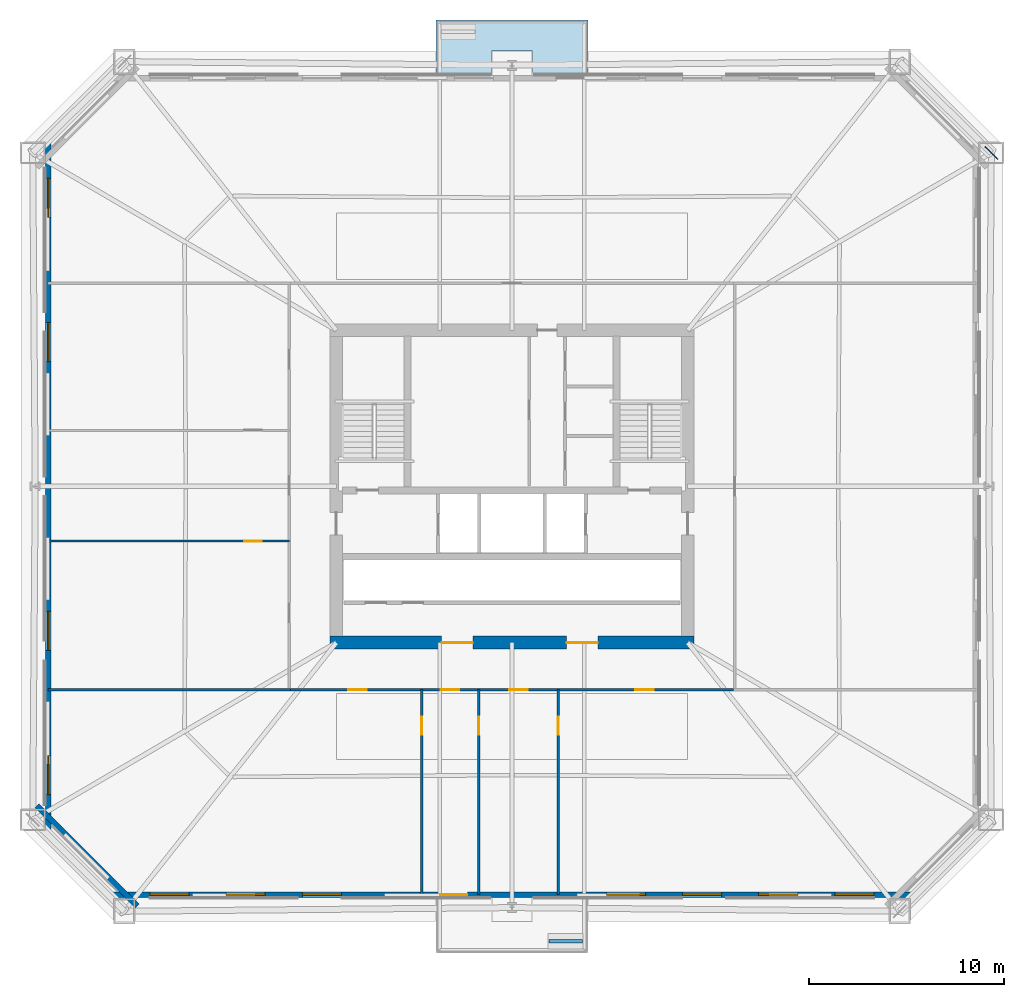
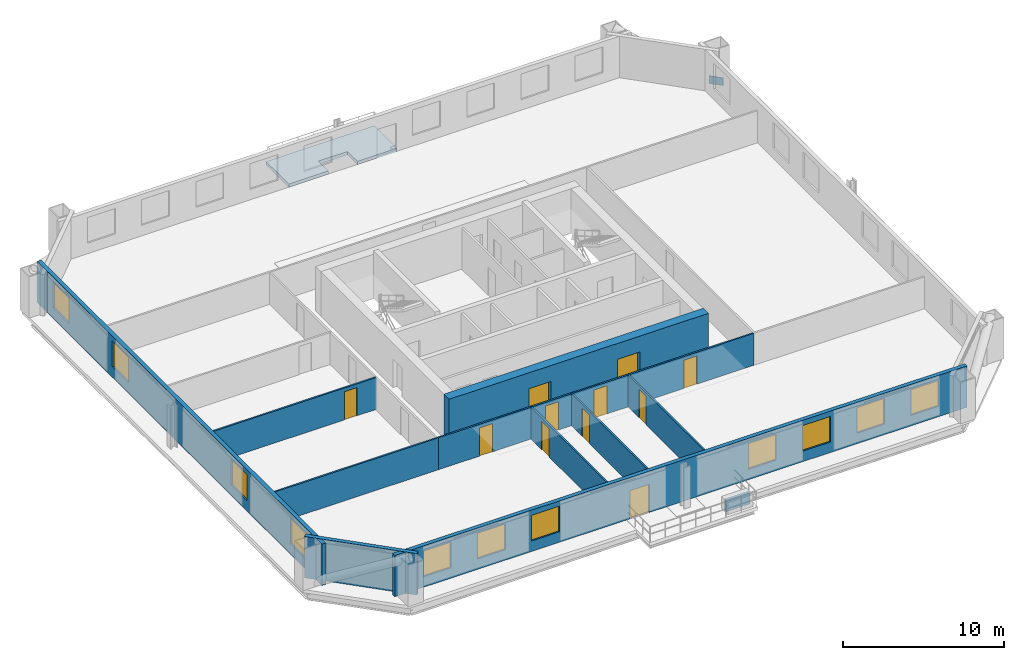
# One storey, part 3 of 8: 11 doors, 11 walls, 11 windows, 1 plate, 1 slab, 22 openings.
"""IFC4 building model written with IfcOpenShell, lengths in metres."""

from ifc_helpers import new_model, si_unit, direction, frame, frame_2d, origin, origin_2d, place, context, subcontext, project, spatial, polyline, rectangle, outline, extrude, material, layer, layer_set, type_object, element, fill, save


model = new_model("IFC4")

# Units and contexts
model_context = context("Model", 3, precision=1e-05, world=origin(), true_north=direction((0.0, 1.0)))
body_context = subcontext(model_context, "Body", "Model", "MODEL_VIEW")
ifc_project = project(units=[si_unit("LENGTHUNIT", "METRE"), si_unit("AREAUNIT", "SQUARE_METRE"), si_unit("VOLUMEUNIT", "CUBIC_METRE"), si_unit("PLANEANGLEUNIT", "RADIAN"), si_unit("MASSUNIT", "GRAM", prefix="KILO")], contexts=[model_context])

# Site, building, storey
site_placement = place(None, origin())
site = spatial("IfcSite", under=ifc_project, at=site_placement, CompositionType="ELEMENT")
building_placement = place(site_placement, origin())
building = spatial("IfcBuilding", under=site, at=building_placement, Name="Caelvoria Tower", CompositionType="ELEMENT")
storey_placement = place(building_placement, frame((0.0, 0.0, 42.39990234375)))
storey = spatial("IfcBuildingStorey", under=building, at=storey_placement, Name="L10", CompositionType="ELEMENT", Elevation=42.39990234375)

# Plate
ifc_material_1 = material(Name="Structural Steel ASTM A572 Gr.50", Category="steel")
ifc_layer_1 = layer(ifc_material_1, 0.0400390625, Name="Structural Steel ASTM A572 Gr.50")
ifc_layer_set_1 = layer_set([ifc_layer_1], Name="Megaframe Node Gusset Plate 900x600x40 - Structural Steel ASTM A572 Gr.50")
plate_type = type_object("IfcPlateType", Name="Megaframe Node Gusset Plate 900x600x40", PredefinedType="USERDEFINED", material=ifc_layer_set_1)
plate_placement = place(storey_placement, frame((70.55908203125, 49.0888671875, 0.02001953125), z_axis=(0.0, 0.0, 1.0), x_axis=(-0.708230183111, 0.705981591638, 0.0)))
element("IfcPlate", 1, at=plate_placement, inside=storey, type_object=plate_type, Name="Chamfer Mega Brace Gusset L10 NE", ObjectType="GUSSET_PLATE", PredefinedType="USERDEFINED", context=body_context, shape_type="SweptSolid", body=[
    extrude(rectangle(XDim=0.89990234375, YDim=0.0400390625, at=origin_2d()), origin(), (0.0, 0.0, 1.0), 0.60009765625),
])

# Slab
ifc_material_2 = material(Name="Concrete C45/55", Category="concrete")
ifc_layer_2 = layer(ifc_material_2, 0.25, Name="Concrete C45/55")
ifc_layer_set_2 = layer_set([ifc_layer_2], Name="Tree Balcony Structural Planter Slab 250 - Concrete C45/55")
slab_type = type_object("IfcSlabType", Name="Tree Balcony Structural Planter Slab 250", PredefinedType="FLOOR", material=ifc_layer_set_2)
slab_placement = place(storey_placement, frame((0.0, 0.0, -0.25)))
element("IfcSlab", 2, at=slab_placement, inside=storey, type_object=slab_type, Name="Tree Balcony Slab TB-L10-N", PredefinedType="FLOOR", context=body_context, shape_type="SweptSolid", body=[
    extrude(outline(polyline([(42.10009765625, 55.89990234375), (42.10009765625, 54.300048828125), (42.10009765625, 53.06005859375), (44.9599609375, 53.06005859375), (44.9599609375, 54.300048828125), (47.0400390625, 54.300048828125), (47.0400390625, 53.06005859375), (49.89990234375, 53.06005859375), (49.89990234375, 54.300048828125), (49.89990234375, 55.89990234375), (42.10009765625, 55.89990234375)])), origin(), (0.0, 0.0, 1.0), 0.25),
])

# Wall
ifc_material_3 = material(Name="Bronze-Clad Concrete C40/50", Category="concrete")
ifc_layer_3 = layer(ifc_material_3, 0.179931640625, Name="Bronze-Clad Concrete C40/50")
ifc_layer_set_3 = layer_set([ifc_layer_3], Name="Architectural Planter Kerb Wall 180 - Bronze-Clad Concrete C40/50")
wall_type_1 = type_object("IfcWallType", Name="Architectural Planter Kerb Wall 180", PredefinedType="PARAPET", material=ifc_layer_set_3)
wall_1_placement = place(storey_placement, frame((47.89990234375, 8.699951171875, 0.0), z_axis=(0.0, 0.0, 1.0), x_axis=(1.0, 0.0, 0.0)))
element("IfcWall", 3, at=wall_1_placement, inside=storey, type_object=wall_type_1, Name="Tree Balcony Planter Kerb PLANTER TB-L10-S", PredefinedType="PARAPET", context=body_context, shape_type="SweptSolid", body=[
    extrude(rectangle(XDim=1.7001953125, YDim=0.179931640625, at=frame_2d((0.85009765625, 0.0))), origin(), (0.0, 0.0, 1.0), 0.880126953125),
])

# Wall, openings, windows, door
ifc_material_4 = material(Name="Precast Concrete C40/50 with Bronze Cladding", Category="concrete")
ifc_layer_4 = layer(ifc_material_4, 0.280029296875, Name="Precast Concrete C40/50 with Bronze Cladding")
ifc_layer_set_4 = layer_set([ifc_layer_4], Name="Exterior Precast Concrete C40/50 Bronze-Clad Facade Wall 280 - Precast Concrete C40/50 with Bronze Cladding")
wall_type_2 = type_object("IfcWallType", Name="Exterior Precast Concrete C40/50 Bronze-Clad Facade Wall 280", PredefinedType="STANDARD", material=ifc_layer_set_4)
wall_2_placement = place(storey_placement, frame((25.409912109375, 11.080078125, 0.0), z_axis=(0.0, 0.0, 1.0), x_axis=(1.0, 0.0, 0.0)))
wall_2 = element("IfcWall", 4, at=wall_2_placement, inside=storey, type_object=wall_type_2, Name="Exterior Facade Wall L10-E0", PredefinedType="STANDARD", context=body_context, shape_type="SweptSolid", body=[
    extrude(rectangle(XDim=41.18017578125, YDim=0.280029296875, at=frame_2d((20.590087890625, 0.0))), origin(), (0.0, 0.0, 1.0), 3.150146484375),
])
opening_1_placement = place(wall_2_placement, frame((16.909912109375, 0.0, 0.0)))
opening_1 = element("IfcOpeningElement", 5, at=opening_1_placement, cuts=wall_2, Name="Opening ED-04", PredefinedType="OPENING", context=body_context, shape_type="SweptSolid", body=[
    extrude(rectangle(XDim=1.39990234375, YDim=2.14990234375, at=frame_2d((0.699951171875, 1.074951171875))), frame((0.0, 0.14990234375, 0.0), z_axis=(0.0, -1.0, 0.0), x_axis=(1.0, 0.0, 0.0)), (0.0, 0.0, 1.0), 0.300048828125),
])
opening_2_placement = place(wall_2_placement, frame((2.049072265625, 0.0, 0.800048828125)))
opening_2 = element("IfcOpeningElement", 6, at=opening_2_placement, cuts=wall_2, Name="Opening WN-01", PredefinedType="OPENING", context=body_context, shape_type="SweptSolid", body=[
    extrude(rectangle(XDim=2.0, YDim=1.949951171875, at=frame_2d((1.0, 0.97509765625))), frame((0.0, 0.14990234375, 0.0), z_axis=(0.0, -1.0, 0.0), x_axis=(1.0, 0.0, 0.0)), (0.0, 0.0, 1.0), 0.300048828125),
])
opening_3_placement = place(wall_2_placement, frame((5.947021484375, 0.0, 0.800048828125)))
opening_3 = element("IfcOpeningElement", 7, at=opening_3_placement, cuts=wall_2, Name="Opening WN-01", PredefinedType="OPENING", context=body_context, shape_type="SweptSolid", body=[
    extrude(rectangle(XDim=2.0, YDim=1.949951171875, at=frame_2d((1.0, 0.97509765625))), frame((0.0, 0.14990234375, 0.0), z_axis=(0.0, -1.0, 0.0), x_axis=(1.0, 0.0, 0.0)), (0.0, 0.0, 1.0), 0.300048828125),
])
opening_4_placement = place(wall_2_placement, frame((9.844970703125, 0.0, 0.800048828125)))
opening_4 = element("IfcOpeningElement", 8, at=opening_4_placement, cuts=wall_2, Name="Opening WN-01", PredefinedType="OPENING", context=body_context, shape_type="SweptSolid", body=[
    extrude(rectangle(XDim=2.0, YDim=1.949951171875, at=frame_2d((1.0, 0.97509765625))), frame((0.0, 0.14990234375, 0.0), z_axis=(0.0, -1.0, 0.0), x_axis=(1.0, 0.0, 0.0)), (0.0, 0.0, 1.0), 0.300048828125),
])
opening_5_placement = place(wall_2_placement, frame((25.43701171875, 0.0, 0.800048828125)))
opening_5 = element("IfcOpeningElement", 9, at=opening_5_placement, cuts=wall_2, Name="Opening WN-01", PredefinedType="OPENING", context=body_context, shape_type="SweptSolid", body=[
    extrude(rectangle(XDim=2.0, YDim=1.949951171875, at=frame_2d((1.0, 0.97509765625))), frame((0.0, 0.14990234375, 0.0), z_axis=(0.0, -1.0, 0.0), x_axis=(1.0, 0.0, 0.0)), (0.0, 0.0, 1.0), 0.300048828125),
])
opening_6_placement = place(wall_2_placement, frame((29.3349609375, 0.0, 0.800048828125)))
opening_6 = element("IfcOpeningElement", 10, at=opening_6_placement, cuts=wall_2, Name="Opening WN-01", PredefinedType="OPENING", context=body_context, shape_type="SweptSolid", body=[
    extrude(rectangle(XDim=2.0, YDim=1.949951171875, at=frame_2d((1.0, 0.97509765625))), frame((0.0, 0.14990234375, 0.0), z_axis=(0.0, -1.0, 0.0), x_axis=(1.0, 0.0, 0.0)), (0.0, 0.0, 1.0), 0.300048828125),
])
opening_7_placement = place(wall_2_placement, frame((33.23291015625, 0.0, 0.800048828125)))
opening_7 = element("IfcOpeningElement", 11, at=opening_7_placement, cuts=wall_2, Name="Opening WN-01", PredefinedType="OPENING", context=body_context, shape_type="SweptSolid", body=[
    extrude(rectangle(XDim=2.0, YDim=1.949951171875, at=frame_2d((1.0, 0.97509765625))), frame((0.0, 0.14990234375, 0.0), z_axis=(0.0, -1.0, 0.0), x_axis=(1.0, 0.0, 0.0)), (0.0, 0.0, 1.0), 0.300048828125),
])
opening_8_placement = place(wall_2_placement, frame((37.131103515625, 0.0, 0.800048828125)))
opening_8 = element("IfcOpeningElement", 12, at=opening_8_placement, cuts=wall_2, Name="Opening WN-01", PredefinedType="OPENING", context=body_context, shape_type="SweptSolid", body=[
    extrude(rectangle(XDim=2.0, YDim=1.949951171875, at=frame_2d((1.0, 0.97509765625))), frame((0.0, 0.14990234375, 0.0), z_axis=(0.0, -1.0, 0.0), x_axis=(1.0, 0.0, 0.0)), (0.0, 0.0, 1.0), 0.300048828125),
])
ifc_material_5 = material(Name="Low-E Tinted Glass in Bronze Aluminium Frame", Category="aluminium")
window_type = type_object("IfcWindowType", Name="Tower Office Vision Window 2000x1950", PartitioningType="SINGLE_PANEL", PredefinedType="WINDOW", material=ifc_material_5)
window_1_placement = place(opening_2_placement, origin())
window_1 = element("IfcWindow", 13, at=window_1_placement, inside=storey, type_object=window_type, Name="Facade Window L10-E0-00", OverallHeight=1.949951171875, OverallWidth=2.0, PartitioningType="SINGLE_PANEL", PredefinedType="WINDOW", context=body_context, shape_type="SweptSolid", body=[
    extrude(rectangle(XDim=2.0, YDim=1.949951171875, at=frame_2d((1.0, 0.97509765625))), frame((0.0, 0.030029296875, 0.0), z_axis=(0.0, -1.0, 0.0), x_axis=(1.0, 0.0, 0.0)), (0.0, 0.0, 1.0), 0.06005859375),
])
fill(opening_2, window_1)
window_2_placement = place(opening_3_placement, origin())
window_2 = element("IfcWindow", 14, at=window_2_placement, inside=storey, type_object=window_type, Name="Facade Window L10-E0-01", OverallHeight=1.949951171875, OverallWidth=2.0, PartitioningType="SINGLE_PANEL", PredefinedType="WINDOW", context=body_context, shape_type="SweptSolid", body=[
    extrude(rectangle(XDim=2.0, YDim=1.949951171875, at=frame_2d((1.0, 0.97509765625))), frame((0.0, 0.030029296875, 0.0), z_axis=(0.0, -1.0, 0.0), x_axis=(1.0, 0.0, 0.0)), (0.0, 0.0, 1.0), 0.06005859375),
])
fill(opening_3, window_2)
window_3_placement = place(opening_4_placement, origin())
window_3 = element("IfcWindow", 15, at=window_3_placement, inside=storey, type_object=window_type, Name="Facade Window L10-E0-02", OverallHeight=1.949951171875, OverallWidth=2.0, PartitioningType="SINGLE_PANEL", PredefinedType="WINDOW", context=body_context, shape_type="SweptSolid", body=[
    extrude(rectangle(XDim=2.0, YDim=1.949951171875, at=frame_2d((1.0, 0.97509765625))), frame((0.0, 0.030029296875, 0.0), z_axis=(0.0, -1.0, 0.0), x_axis=(1.0, 0.0, 0.0)), (0.0, 0.0, 1.0), 0.06005859375),
])
fill(opening_4, window_3)
window_4_placement = place(opening_5_placement, origin())
window_4 = element("IfcWindow", 16, at=window_4_placement, inside=storey, type_object=window_type, Name="Facade Window L10-E0-06", OverallHeight=1.949951171875, OverallWidth=2.0, PartitioningType="SINGLE_PANEL", PredefinedType="WINDOW", context=body_context, shape_type="SweptSolid", body=[
    extrude(rectangle(XDim=2.0, YDim=1.949951171875, at=frame_2d((1.0, 0.97509765625))), frame((0.0, 0.030029296875, 0.0), z_axis=(0.0, -1.0, 0.0), x_axis=(1.0, 0.0, 0.0)), (0.0, 0.0, 1.0), 0.06005859375),
])
fill(opening_5, window_4)
window_5_placement = place(opening_6_placement, origin())
window_5 = element("IfcWindow", 17, at=window_5_placement, inside=storey, type_object=window_type, Name="Facade Window L10-E0-07", OverallHeight=1.949951171875, OverallWidth=2.0, PartitioningType="SINGLE_PANEL", PredefinedType="WINDOW", context=body_context, shape_type="SweptSolid", body=[
    extrude(rectangle(XDim=2.0, YDim=1.949951171875, at=frame_2d((1.0, 0.97509765625))), frame((0.0, 0.030029296875, 0.0), z_axis=(0.0, -1.0, 0.0), x_axis=(1.0, 0.0, 0.0)), (0.0, 0.0, 1.0), 0.06005859375),
])
fill(opening_6, window_5)
window_6_placement = place(opening_7_placement, origin())
window_6 = element("IfcWindow", 18, at=window_6_placement, inside=storey, type_object=window_type, Name="Facade Window L10-E0-08", OverallHeight=1.949951171875, OverallWidth=2.0, PartitioningType="SINGLE_PANEL", PredefinedType="WINDOW", context=body_context, shape_type="SweptSolid", body=[
    extrude(rectangle(XDim=2.0, YDim=1.949951171875, at=frame_2d((1.0, 0.97509765625))), frame((0.0, 0.030029296875, 0.0), z_axis=(0.0, -1.0, 0.0), x_axis=(1.0, 0.0, 0.0)), (0.0, 0.0, 1.0), 0.06005859375),
])
fill(opening_7, window_6)
window_7_placement = place(opening_8_placement, origin())
window_7 = element("IfcWindow", 19, at=window_7_placement, inside=storey, type_object=window_type, Name="Facade Window L10-E0-09", OverallHeight=1.949951171875, OverallWidth=2.0, PartitioningType="SINGLE_PANEL", PredefinedType="WINDOW", context=body_context, shape_type="SweptSolid", body=[
    extrude(rectangle(XDim=2.0, YDim=1.949951171875, at=frame_2d((1.0, 0.97509765625))), frame((0.0, 0.030029296875, 0.0), z_axis=(0.0, -1.0, 0.0), x_axis=(1.0, 0.0, 0.0)), (0.0, 0.0, 1.0), 0.06005859375),
])
fill(opening_8, window_7)
ifc_material_6 = material(Name="Anodised Bronze Aluminium and Laminated Glass", Category="aluminium")
door_type_1 = type_object("IfcDoorType", Name="Tree Balcony Glazed Door 1400x2150", OperationType="NOTDEFINED", PredefinedType="DOOR", material=ifc_material_6)
door_1_placement = place(opening_1_placement, origin())
door_1 = element("IfcDoor", 20, at=door_1_placement, inside=storey, type_object=door_type_1, Name="Tree Balcony Door L10-S", OperationType="SINGLE_SWING_LEFT", OverallHeight=2.14990234375, OverallWidth=1.39990234375, PredefinedType="DOOR", context=body_context, shape_type="SweptSolid", body=[
    extrude(rectangle(XDim=1.39990234375, YDim=2.14990234375, at=frame_2d((0.699951171875, 1.074951171875))), frame((0.0, 0.02490234375, 0.0), z_axis=(0.0, -1.0, 0.0), x_axis=(1.0, 0.0, 0.0)), (0.0, 0.0, 1.0), 0.050048828125),
])
fill(opening_1, door_1)

# Wall, openings, windows
wall_3_placement = place(storey_placement, frame((22.22998046875, 49.739990234375, 0.0), z_axis=(0.0, 0.0, 1.0), x_axis=(0.0, -1.0, 0.0)))
wall_3 = element("IfcWall", 21, at=wall_3_placement, inside=storey, type_object=wall_type_2, Name="Exterior Facade Wall L10-E6", PredefinedType="STANDARD", context=body_context, shape_type="SweptSolid", body=[
    extrude(rectangle(XDim=35.47998046875, YDim=0.280029296875, at=frame_2d((17.739990234375, 0.0))), origin(), (0.0, 0.0, 1.0), 3.150146484375),
])
opening_9_placement = place(wall_3_placement, frame((1.948974609375, 0.0, 0.800048828125)))
opening_9 = element("IfcOpeningElement", 22, at=opening_9_placement, cuts=wall_3, Name="Opening WN-01", PredefinedType="OPENING", context=body_context, shape_type="SweptSolid", body=[
    extrude(rectangle(XDim=2.0, YDim=1.949951171875, at=frame_2d((1.0, 0.97509765625))), frame((0.0, 0.14990234375, 0.0), z_axis=(0.0, -1.0, 0.0), x_axis=(1.0, 0.0, 0.0)), (0.0, 0.0, 1.0), 0.300048828125),
])
opening_10_placement = place(wall_3_placement, frame((9.344482421875, 0.0, 0.800048828125)))
opening_10 = element("IfcOpeningElement", 23, at=opening_10_placement, cuts=wall_3, Name="Opening WN-01", PredefinedType="OPENING", context=body_context, shape_type="SweptSolid", body=[
    extrude(rectangle(XDim=2.0, YDim=1.949951171875, at=frame_2d((1.0, 0.97509765625))), frame((0.0, 0.14990234375, 0.0), z_axis=(0.0, -1.0, 0.0), x_axis=(1.0, 0.0, 0.0)), (0.0, 0.0, 1.0), 0.300048828125),
])
opening_11_placement = place(wall_3_placement, frame((24.135498046875, 0.0, 0.800048828125)))
opening_11 = element("IfcOpeningElement", 24, at=opening_11_placement, cuts=wall_3, Name="Opening WN-01", PredefinedType="OPENING", context=body_context, shape_type="SweptSolid", body=[
    extrude(rectangle(XDim=2.0, YDim=1.949951171875, at=frame_2d((1.0, 0.97509765625))), frame((0.0, 0.14990234375, 0.0), z_axis=(0.0, -1.0, 0.0), x_axis=(1.0, 0.0, 0.0)), (0.0, 0.0, 1.0), 0.300048828125),
])
opening_12_placement = place(wall_3_placement, frame((31.531005859375, 0.0, 0.800048828125)))
opening_12 = element("IfcOpeningElement", 25, at=opening_12_placement, cuts=wall_3, Name="Opening WN-01", PredefinedType="OPENING", context=body_context, shape_type="SweptSolid", body=[
    extrude(rectangle(XDim=2.0, YDim=1.949951171875, at=frame_2d((1.0, 0.97509765625))), frame((0.0, 0.14990234375, 0.0), z_axis=(0.0, -1.0, 0.0), x_axis=(1.0, 0.0, 0.0)), (0.0, 0.0, 1.0), 0.300048828125),
])
window_8_placement = place(opening_9_placement, origin())
window_8 = element("IfcWindow", 26, at=window_8_placement, inside=storey, type_object=window_type, Name="Facade Window L10-E6-00", OverallHeight=1.949951171875, OverallWidth=2.0, PartitioningType="SINGLE_PANEL", PredefinedType="WINDOW", context=body_context, shape_type="SweptSolid", body=[
    extrude(rectangle(XDim=2.0, YDim=1.949951171875, at=frame_2d((1.0, 0.97509765625))), frame((0.0, 0.030029296875, 0.0), z_axis=(0.0, -1.0, 0.0), x_axis=(1.0, 0.0, 0.0)), (0.0, 0.0, 1.0), 0.06005859375),
])
fill(opening_9, window_8)
window_9_placement = place(opening_10_placement, origin())
window_9 = element("IfcWindow", 27, at=window_9_placement, inside=storey, type_object=window_type, Name="Facade Window L10-E6-02", OverallHeight=1.949951171875, OverallWidth=2.0, PartitioningType="SINGLE_PANEL", PredefinedType="WINDOW", context=body_context, shape_type="SweptSolid", body=[
    extrude(rectangle(XDim=2.0, YDim=1.949951171875, at=frame_2d((1.0, 0.97509765625))), frame((0.0, 0.030029296875, 0.0), z_axis=(0.0, -1.0, 0.0), x_axis=(1.0, 0.0, 0.0)), (0.0, 0.0, 1.0), 0.06005859375),
])
fill(opening_10, window_9)
window_10_placement = place(opening_11_placement, origin())
window_10 = element("IfcWindow", 28, at=window_10_placement, inside=storey, type_object=window_type, Name="Facade Window L10-E6-06", OverallHeight=1.949951171875, OverallWidth=2.0, PartitioningType="SINGLE_PANEL", PredefinedType="WINDOW", context=body_context, shape_type="SweptSolid", body=[
    extrude(rectangle(XDim=2.0, YDim=1.949951171875, at=frame_2d((1.0, 0.97509765625))), frame((0.0, 0.030029296875, 0.0), z_axis=(0.0, -1.0, 0.0), x_axis=(1.0, 0.0, 0.0)), (0.0, 0.0, 1.0), 0.06005859375),
])
fill(opening_11, window_10)
window_11_placement = place(opening_12_placement, origin())
window_11 = element("IfcWindow", 29, at=window_11_placement, inside=storey, type_object=window_type, Name="Facade Window L10-E6-08", OverallHeight=1.949951171875, OverallWidth=2.0, PartitioningType="SINGLE_PANEL", PredefinedType="WINDOW", context=body_context, shape_type="SweptSolid", body=[
    extrude(rectangle(XDim=2.0, YDim=1.949951171875, at=frame_2d((1.0, 0.97509765625))), frame((0.0, 0.030029296875, 0.0), z_axis=(0.0, -1.0, 0.0), x_axis=(1.0, 0.0, 0.0)), (0.0, 0.0, 1.0), 0.06005859375),
])
fill(opening_12, window_11)

# Wall
wall_4_placement = place(storey_placement, frame((21.656005859375, 15.6455078125, 0.0), z_axis=(0.0, 0.0, 1.0), x_axis=(0.707106781187, -0.707106781187, 0.0)))
element("IfcWall", 30, at=wall_4_placement, inside=storey, type_object=wall_type_2, Name="Exterior Facade Wall L10-E7", PredefinedType="STANDARD", context=body_context, shape_type="SweptSolid", body=[
    extrude(rectangle(XDim=7.268310546875, YDim=0.280029296875, at=frame_2d((3.63427734375, 0.0))), origin(), (0.0, 0.0, 1.0), 3.150146484375),
])

# Wall, openings, doors
ifc_material_7 = material(Name="Concrete C60/75", Category="concrete")
ifc_layer_5 = layer(ifc_material_7, 0.64990234375, Name="Concrete C60/75")
ifc_layer_set_5 = layer_set([ifc_layer_5], Name="Lower Core Shear Wall 650 - Concrete C60/75")
wall_type_3 = type_object("IfcWallType", Name="Lower Core Shear Wall 650", PredefinedType="SHEAR", material=ifc_layer_set_5)
wall_5_placement = place(storey_placement, frame((36.675048828125, 24.0, 0.0), z_axis=(0.0, 0.0, 1.0), x_axis=(1.0, 0.0, 0.0)))
wall_5 = element("IfcWall", 31, at=wall_5_placement, inside=storey, type_object=wall_type_3, Name="Core Shear Wall L10 S", PredefinedType="SHEAR", context=body_context, shape_type="SweptSolid", body=[
    extrude(rectangle(XDim=18.64990234375, YDim=0.64990234375, at=frame_2d((9.324951171875, 0.0))), origin(), (0.0, 0.0, 1.0), 3.360107421875),
])
opening_13_placement = place(wall_5_placement, frame((5.72509765625, 0.0, 0.0)))
opening_13 = element("IfcOpeningElement", 32, at=opening_13_placement, cuts=wall_5, Name="Opening ID-08", PredefinedType="OPENING", context=body_context, shape_type="SweptSolid", body=[
    extrude(rectangle(XDim=1.60009765625, YDim=2.14990234375, at=frame_2d((0.800048828125, 1.074951171875))), frame((0.0, 0.3349609375, 0.0), z_axis=(0.0, -1.0, 0.0), x_axis=(1.0, 0.0, 0.0)), (0.0, 0.0, 1.0), 0.669921875),
])
opening_14_placement = place(wall_5_placement, frame((12.125, 0.0, 0.0)))
opening_14 = element("IfcOpeningElement", 33, at=opening_14_placement, cuts=wall_5, Name="Opening ID-08", PredefinedType="OPENING", context=body_context, shape_type="SweptSolid", body=[
    extrude(rectangle(XDim=1.60009765625, YDim=2.14990234375, at=frame_2d((0.800048828125, 1.074951171875))), frame((0.0, 0.3349609375, 0.0), z_axis=(0.0, -1.0, 0.0), x_axis=(1.0, 0.0, 0.0)), (0.0, 0.0, 1.0), 0.669921875),
])
ifc_material_8 = material(Name="Bronze-Framed Fire-Rated Glazed Double Door", Category="aluminium")
door_type_2 = type_object("IfcDoorType", Name="Double Lobby Glazed Door 1600x2200", OperationType="NOTDEFINED", PredefinedType="DOOR", material=ifc_material_8)
door_2_placement = place(opening_13_placement, origin())
door_2 = element("IfcDoor", 34, at=door_2_placement, inside=storey, type_object=door_type_2, Name="Core Door DR-L10-LLOB-S1", OperationType="DOUBLE_DOOR_SINGLE_SWING", OverallHeight=2.14990234375, OverallWidth=1.60009765625, PredefinedType="DOOR", context=body_context, shape_type="SweptSolid", body=[
    extrude(rectangle(XDim=1.60009765625, YDim=2.14990234375, at=frame_2d((0.800048828125, 1.074951171875))), frame((0.0, 0.02490234375, 0.0), z_axis=(0.0, -1.0, 0.0), x_axis=(1.0, 0.0, 0.0)), (0.0, 0.0, 1.0), 0.050048828125),
])
fill(opening_13, door_2)
door_3_placement = place(opening_14_placement, origin())
door_3 = element("IfcDoor", 35, at=door_3_placement, inside=storey, type_object=door_type_2, Name="Core Door DR-L10-LLOB-S2", OperationType="DOUBLE_DOOR_SINGLE_SWING", OverallHeight=2.14990234375, OverallWidth=1.60009765625, PredefinedType="DOOR", context=body_context, shape_type="SweptSolid", body=[
    extrude(rectangle(XDim=1.60009765625, YDim=2.14990234375, at=frame_2d((0.800048828125, 1.074951171875))), frame((0.0, 0.02490234375, 0.0), z_axis=(0.0, -1.0, 0.0), x_axis=(1.0, 0.0, 0.0)), (0.0, 0.0, 1.0), 0.050048828125),
])
fill(opening_14, door_3)

# Wall, opening, door
ifc_material_9 = material(Name="Acoustic Gypsum Board on Light-Gauge Stud", Category="gypsum")
ifc_layer_6 = layer(ifc_material_9, 0.1201171875, Name="Acoustic Gypsum Board on Light-Gauge Stud")
ifc_layer_set_6 = layer_set([ifc_layer_6], Name="Tenant Suite Acoustic Partition Wall 120 - Acoustic Gypsum Board on Light-Gauge Stud")
wall_type_4 = type_object("IfcWallType", Name="Tenant Suite Acoustic Partition Wall 120", PredefinedType="PARTITIONING", material=ifc_layer_set_6)
wall_6_placement = place(storey_placement, frame((41.37890625, 21.590087890625, 0.0), z_axis=(0.0, 0.0, 1.0), x_axis=(0.0, -1.0, 0.0)))
wall_6 = element("IfcWall", 36, at=wall_6_placement, inside=storey, type_object=wall_type_4, Name="Interior Partition IW-L10-SD-00-0", PredefinedType="PARTITIONING", context=body_context, shape_type="SweptSolid", body=[
    extrude(rectangle(XDim=10.510009765625, YDim=0.1201171875, at=frame_2d((5.2548828125, 0.0))), origin(), (0.0, 0.0, 1.0), 2.43017578125),
])
opening_15_placement = place(wall_6_placement, frame((1.39990234375, 0.0, 0.0)))
opening_15 = element("IfcOpeningElement", 37, at=opening_15_placement, cuts=wall_6, Name="Opening ID-06", PredefinedType="OPENING", context=body_context, shape_type="SweptSolid", body=[
    extrude(rectangle(XDim=0.89990234375, YDim=2.14990234375, at=frame_2d((0.449951171875, 1.074951171875))), frame((0.0, 0.070068359375, 0.0), z_axis=(0.0, -1.0, 0.0), x_axis=(1.0, 0.0, 0.0)), (0.0, 0.0, 1.0), 0.14013671875),
])
ifc_material_10 = material(Name="Engineered Andean Oak Veneer Door", Category="wood")
door_type_3 = type_object("IfcDoorType", Name="Interior Timber Door 900x2150", OperationType="NOTDEFINED", PredefinedType="DOOR", material=ifc_material_10)
door_4_placement = place(opening_15_placement, origin())
door_4 = element("IfcDoor", 38, at=door_4_placement, inside=storey, type_object=door_type_3, Name="Interior Door DR-L10-SM-00-0", OperationType="SINGLE_SWING_RIGHT", OverallHeight=2.14990234375, OverallWidth=0.89990234375, PredefinedType="DOOR", context=body_context, shape_type="SweptSolid", body=[
    extrude(rectangle(XDim=0.89990234375, YDim=2.14990234375, at=frame_2d((0.449951171875, 1.074951171875))), frame((0.0, 0.02490234375, 0.0), z_axis=(0.0, -1.0, 0.0), x_axis=(1.0, 0.0, 0.0)), (0.0, 0.0, 1.0), 0.050048828125),
])
fill(opening_15, door_4)

wall_7_placement = place(storey_placement, frame((44.288818359375, 21.590087890625, 0.0), z_axis=(0.0, 0.0, 1.0), x_axis=(0.0, -1.0, 0.0)))
wall_7 = element("IfcWall", 39, at=wall_7_placement, inside=storey, type_object=wall_type_4, Name="Interior Partition IW-L10-SD-01-0", PredefinedType="PARTITIONING", context=body_context, shape_type="SweptSolid", body=[
    extrude(rectangle(XDim=10.510009765625, YDim=0.1201171875, at=frame_2d((5.2548828125, 0.0))), origin(), (0.0, 0.0, 1.0), 2.43017578125),
])
opening_16_placement = place(wall_7_placement, frame((1.39990234375, 0.0, 0.0)))
opening_16 = element("IfcOpeningElement", 40, at=opening_16_placement, cuts=wall_7, Name="Opening ID-06", PredefinedType="OPENING", context=body_context, shape_type="SweptSolid", body=[
    extrude(rectangle(XDim=0.89990234375, YDim=2.14990234375, at=frame_2d((0.449951171875, 1.074951171875))), frame((0.0, 0.070068359375, 0.0), z_axis=(0.0, -1.0, 0.0), x_axis=(1.0, 0.0, 0.0)), (0.0, 0.0, 1.0), 0.14013671875),
])
door_5_placement = place(opening_16_placement, origin())
door_5 = element("IfcDoor", 41, at=door_5_placement, inside=storey, type_object=door_type_3, Name="Interior Door DR-L10-SM-01-0", OperationType="SINGLE_SWING_LEFT", OverallHeight=2.14990234375, OverallWidth=0.89990234375, PredefinedType="DOOR", context=body_context, shape_type="SweptSolid", body=[
    extrude(rectangle(XDim=0.89990234375, YDim=2.14990234375, at=frame_2d((0.449951171875, 1.074951171875))), frame((0.0, 0.02490234375, 0.0), z_axis=(0.0, -1.0, 0.0), x_axis=(1.0, 0.0, 0.0)), (0.0, 0.0, 1.0), 0.050048828125),
])
fill(opening_16, door_5)

wall_8_placement = place(storey_placement, frame((48.36962890625, 21.590087890625, 0.0), z_axis=(0.0, 0.0, 1.0), x_axis=(0.0, -1.0, 0.0)))
wall_8 = element("IfcWall", 42, at=wall_8_placement, inside=storey, type_object=wall_type_4, Name="Interior Partition IW-L10-SD-02-0", PredefinedType="PARTITIONING", context=body_context, shape_type="SweptSolid", body=[
    extrude(rectangle(XDim=10.510009765625, YDim=0.1201171875, at=frame_2d((5.2548828125, 0.0))), origin(), (0.0, 0.0, 1.0), 2.43017578125),
])
opening_17_placement = place(wall_8_placement, frame((1.39990234375, 0.0, 0.0)))
opening_17 = element("IfcOpeningElement", 43, at=opening_17_placement, cuts=wall_8, Name="Opening ID-06", PredefinedType="OPENING", context=body_context, shape_type="SweptSolid", body=[
    extrude(rectangle(XDim=0.89990234375, YDim=2.14990234375, at=frame_2d((0.449951171875, 1.074951171875))), frame((0.0, 0.070068359375, 0.0), z_axis=(0.0, -1.0, 0.0), x_axis=(1.0, 0.0, 0.0)), (0.0, 0.0, 1.0), 0.14013671875),
])
door_6_placement = place(opening_17_placement, origin())
door_6 = element("IfcDoor", 44, at=door_6_placement, inside=storey, type_object=door_type_3, Name="Interior Door DR-L10-SM-02-0", OperationType="SINGLE_SWING_RIGHT", OverallHeight=2.14990234375, OverallWidth=0.89990234375, PredefinedType="DOOR", context=body_context, shape_type="SweptSolid", body=[
    extrude(rectangle(XDim=0.89990234375, YDim=2.14990234375, at=frame_2d((0.449951171875, 1.074951171875))), frame((0.0, 0.02490234375, 0.0), z_axis=(0.0, -1.0, 0.0), x_axis=(1.0, 0.0, 0.0)), (0.0, 0.0, 1.0), 0.050048828125),
])
fill(opening_17, door_6)

# Wall, openings, doors
wall_9_placement = place(storey_placement, frame((34.64990234375, 21.590087890625, 0.0), z_axis=(0.0, 0.0, 1.0), x_axis=(1.0, 0.0, 0.0)))
wall_9 = element("IfcWall", 45, at=wall_9_placement, inside=storey, type_object=wall_type_4, Name="Interior Partition IW-L10-SCW-0", PredefinedType="PARTITIONING", context=body_context, shape_type="SweptSolid", body=[
    extrude(rectangle(XDim=22.7001953125, YDim=0.1201171875, at=frame_2d((11.35009765625, 0.0))), origin(), (0.0, 0.0, 1.0), 2.43017578125),
])
opening_18_placement = place(wall_9_placement, frame((2.95947265625, 0.0, 0.0)))
opening_18 = element("IfcOpeningElement", 46, at=opening_18_placement, cuts=wall_9, Name="Opening ID-05", PredefinedType="OPENING", context=body_context, shape_type="SweptSolid", body=[
    extrude(rectangle(XDim=0.949951171875, YDim=2.14990234375, at=frame_2d((0.47509765625, 1.074951171875))), frame((0.0, 0.070068359375, 0.0), z_axis=(0.0, -1.0, 0.0), x_axis=(1.0, 0.0, 0.0)), (0.0, 0.0, 1.0), 0.14013671875),
])
opening_19_placement = place(wall_9_placement, frame((7.708740234375, 0.0, 0.0)))
opening_19 = element("IfcOpeningElement", 47, at=opening_19_placement, cuts=wall_9, Name="Opening ID-05", PredefinedType="OPENING", context=body_context, shape_type="SweptSolid", body=[
    extrude(rectangle(XDim=0.949951171875, YDim=2.14990234375, at=frame_2d((0.47509765625, 1.074951171875))), frame((0.0, 0.070068359375, 0.0), z_axis=(0.0, -1.0, 0.0), x_axis=(1.0, 0.0, 0.0)), (0.0, 0.0, 1.0), 0.14013671875),
])
opening_20_placement = place(wall_9_placement, frame((11.2041015625, 0.0, 0.0)))
opening_20 = element("IfcOpeningElement", 48, at=opening_20_placement, cuts=wall_9, Name="Opening ID-05", PredefinedType="OPENING", context=body_context, shape_type="SweptSolid", body=[
    extrude(rectangle(XDim=0.949951171875, YDim=2.14990234375, at=frame_2d((0.47509765625, 1.074951171875))), frame((0.0, 0.070068359375, 0.0), z_axis=(0.0, -1.0, 0.0), x_axis=(1.0, 0.0, 0.0)), (0.0, 0.0, 1.0), 0.14013671875),
])
opening_21_placement = place(wall_9_placement, frame((17.664794921875, 0.0, 0.0)))
opening_21 = element("IfcOpeningElement", 49, at=opening_21_placement, cuts=wall_9, Name="Opening ID-05", PredefinedType="OPENING", context=body_context, shape_type="SweptSolid", body=[
    extrude(rectangle(XDim=0.949951171875, YDim=2.14990234375, at=frame_2d((0.47509765625, 1.074951171875))), frame((0.0, 0.070068359375, 0.0), z_axis=(0.0, -1.0, 0.0), x_axis=(1.0, 0.0, 0.0)), (0.0, 0.0, 1.0), 0.14013671875),
])
door_type_4 = type_object("IfcDoorType", Name="Interior Timber Door 950x2150", OperationType="NOTDEFINED", PredefinedType="DOOR", material=ifc_material_10)
door_7_placement = place(opening_18_placement, origin())
door_7 = element("IfcDoor", 50, at=door_7_placement, inside=storey, type_object=door_type_4, Name="Interior Door DR-L10-SC-00-0", OperationType="SINGLE_SWING_LEFT", OverallHeight=2.14990234375, OverallWidth=0.949951171875, PredefinedType="DOOR", context=body_context, shape_type="SweptSolid", body=[
    extrude(rectangle(XDim=0.949951171875, YDim=2.14990234375, at=frame_2d((0.47509765625, 1.074951171875))), frame((0.0, 0.02490234375, 0.0), z_axis=(0.0, -1.0, 0.0), x_axis=(1.0, 0.0, 0.0)), (0.0, 0.0, 1.0), 0.050048828125),
])
fill(opening_18, door_7)
door_8_placement = place(opening_19_placement, origin())
door_8 = element("IfcDoor", 51, at=door_8_placement, inside=storey, type_object=door_type_4, Name="Interior Door DR-L10-SC-01-0", OperationType="SINGLE_SWING_RIGHT", OverallHeight=2.14990234375, OverallWidth=0.949951171875, PredefinedType="DOOR", context=body_context, shape_type="SweptSolid", body=[
    extrude(rectangle(XDim=0.949951171875, YDim=2.14990234375, at=frame_2d((0.47509765625, 1.074951171875))), frame((0.0, 0.02490234375, 0.0), z_axis=(0.0, -1.0, 0.0), x_axis=(1.0, 0.0, 0.0)), (0.0, 0.0, 1.0), 0.050048828125),
])
fill(opening_19, door_8)
door_9_placement = place(opening_20_placement, origin())
door_9 = element("IfcDoor", 52, at=door_9_placement, inside=storey, type_object=door_type_4, Name="Interior Door DR-L10-SC-02-0", OperationType="SINGLE_SWING_LEFT", OverallHeight=2.14990234375, OverallWidth=0.949951171875, PredefinedType="DOOR", context=body_context, shape_type="SweptSolid", body=[
    extrude(rectangle(XDim=0.949951171875, YDim=2.14990234375, at=frame_2d((0.47509765625, 1.074951171875))), frame((0.0, 0.02490234375, 0.0), z_axis=(0.0, -1.0, 0.0), x_axis=(1.0, 0.0, 0.0)), (0.0, 0.0, 1.0), 0.050048828125),
])
fill(opening_20, door_9)
door_10_placement = place(opening_21_placement, origin())
door_10 = element("IfcDoor", 53, at=door_10_placement, inside=storey, type_object=door_type_4, Name="Interior Door DR-L10-SC-03-0", OperationType="SINGLE_SWING_RIGHT", OverallHeight=2.14990234375, OverallWidth=0.949951171875, PredefinedType="DOOR", context=body_context, shape_type="SweptSolid", body=[
    extrude(rectangle(XDim=0.949951171875, YDim=2.14990234375, at=frame_2d((0.47509765625, 1.074951171875))), frame((0.0, 0.02490234375, 0.0), z_axis=(0.0, -1.0, 0.0), x_axis=(1.0, 0.0, 0.0)), (0.0, 0.0, 1.0), 0.050048828125),
])
fill(opening_21, door_10)

# Wall, opening, door
wall_10_placement = place(storey_placement, frame((34.590087890625, 29.2041015625, 0.0), z_axis=(0.0, 0.0, 1.0), x_axis=(-1.0, 0.0, 0.0)))
wall_10 = element("IfcWall", 54, at=wall_10_placement, inside=storey, type_object=wall_type_4, Name="Interior Partition IW-L10-WD-00-0", PredefinedType="PARTITIONING", context=body_context, shape_type="SweptSolid", body=[
    extrude(rectangle(XDim=12.360107421875, YDim=0.1201171875, at=frame_2d((6.18017578125, 0.0))), origin(), (0.0, 0.0, 1.0), 2.43017578125),
])
opening_22_placement = place(wall_10_placement, frame((1.39990234375, 0.0, 0.0)))
opening_22 = element("IfcOpeningElement", 55, at=opening_22_placement, cuts=wall_10, Name="Opening ID-06", PredefinedType="OPENING", context=body_context, shape_type="SweptSolid", body=[
    extrude(rectangle(XDim=0.89990234375, YDim=2.14990234375, at=frame_2d((0.449951171875, 1.074951171875))), frame((0.0, 0.070068359375, 0.0), z_axis=(0.0, -1.0, 0.0), x_axis=(1.0, 0.0, 0.0)), (0.0, 0.0, 1.0), 0.14013671875),
])
door_11_placement = place(opening_22_placement, origin())
door_11 = element("IfcDoor", 56, at=door_11_placement, inside=storey, type_object=door_type_3, Name="Interior Door DR-L10-WM-00-0", OperationType="SINGLE_SWING_RIGHT", OverallHeight=2.14990234375, OverallWidth=0.89990234375, PredefinedType="DOOR", context=body_context, shape_type="SweptSolid", body=[
    extrude(rectangle(XDim=0.89990234375, YDim=2.14990234375, at=frame_2d((0.449951171875, 1.074951171875))), frame((0.0, 0.02490234375, 0.0), z_axis=(0.0, -1.0, 0.0), x_axis=(1.0, 0.0, 0.0)), (0.0, 0.0, 1.0), 0.050048828125),
])
fill(opening_22, door_11)

# Wall
wall_11_placement = place(storey_placement, frame((34.64990234375, 21.590087890625, 0.0), z_axis=(0.0, 0.0, 1.0), x_axis=(-1.0, 0.0, 0.0)))
element("IfcWall", 57, at=wall_11_placement, inside=storey, type_object=wall_type_4, Name="Interior Partition IW-L10-BSW-0", PredefinedType="PARTITIONING", context=body_context, shape_type="SweptSolid", body=[
    extrude(rectangle(XDim=12.419921875, YDim=0.1201171875, at=frame_2d((6.2099609375, 0.0))), origin(), (0.0, 0.0, 1.0), 2.43017578125),
])

save(model, "model.ifc")
